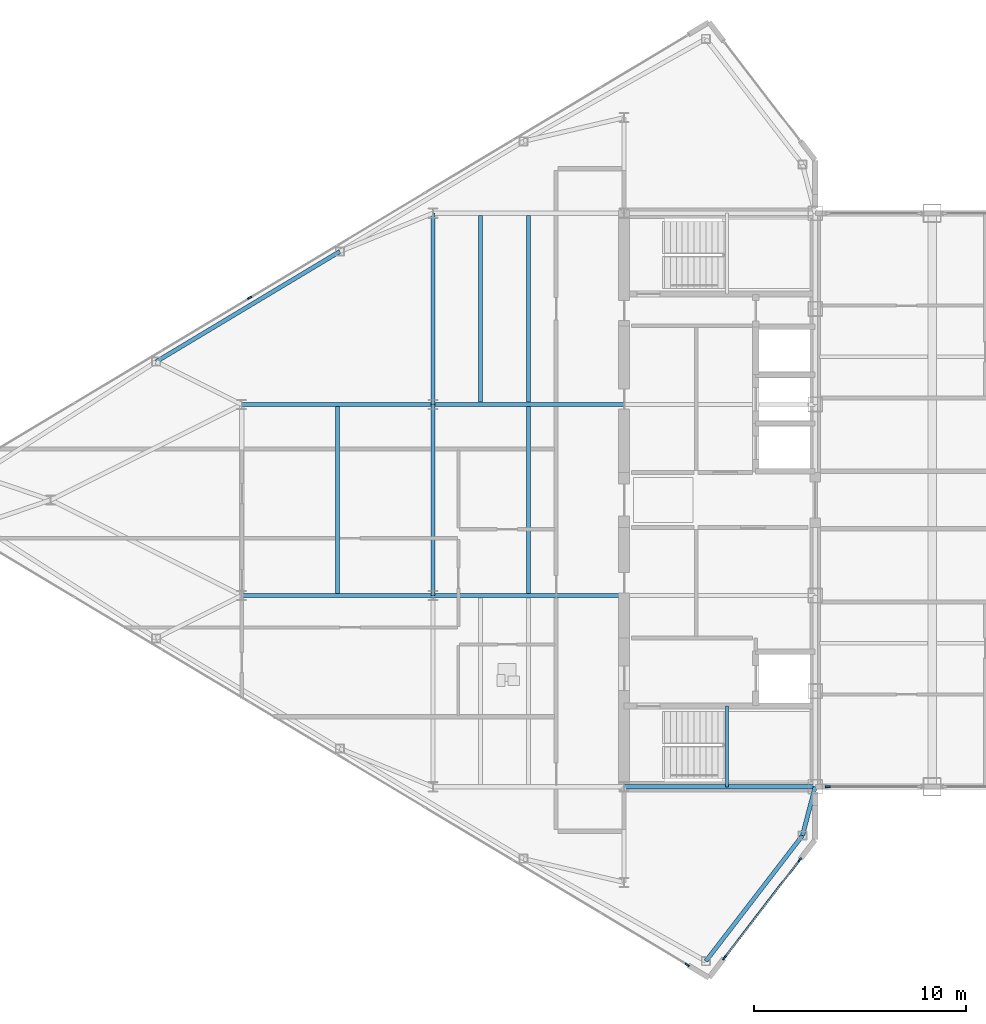
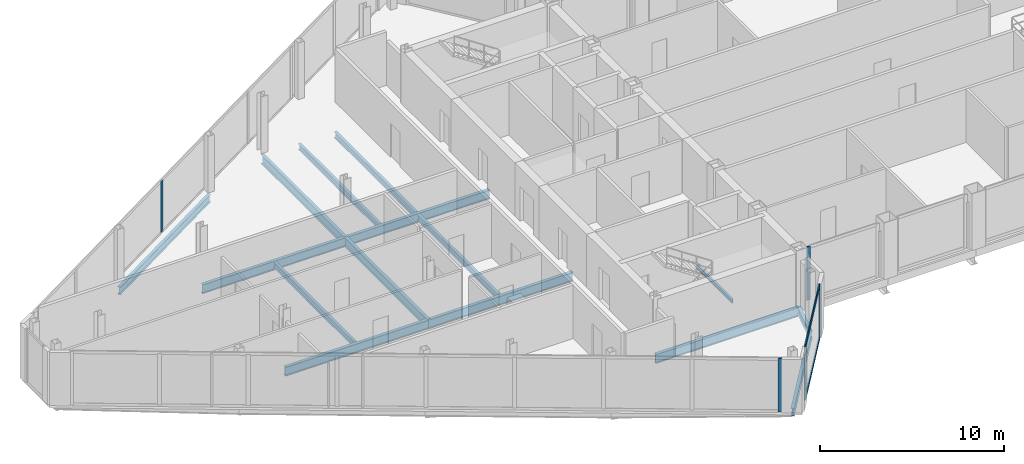
# One storey, part 9 of 29: 15 beams, 7 members, 4 elements without a shape of their own.
"""IFC4 building model written with IfcOpenShell, lengths in metres."""

from ifc_helpers import new_model, si_unit, direction, frame, origin, origin_2d, place, context, subcontext, project, spatial, rectangle, i_section, extrude, source, transform, mapped, material, layer, layer_set, material_profile, profile_set, type_object, type_shapes, element, aggregate, save


model = new_model("IFC4")

# Units and contexts
model_context = context("Model", 3, precision=1e-05, world=origin(), true_north=direction((0.0, 1.0)))
body_context = subcontext(model_context, "Body", "Model", "MODEL_VIEW")
ifc_project = project(units=[si_unit("LENGTHUNIT", "METRE"), si_unit("AREAUNIT", "SQUARE_METRE"), si_unit("VOLUMEUNIT", "CUBIC_METRE"), si_unit("PLANEANGLEUNIT", "RADIAN"), si_unit("MASSUNIT", "GRAM", prefix="KILO")], contexts=[model_context])

# Site, building, storey
site_placement = place(None, origin())
site = spatial("IfcSite", under=ifc_project, at=site_placement, CompositionType="ELEMENT")
building_placement = place(site_placement, origin())
building = spatial("IfcBuilding", under=site, at=building_placement, Name="Seokmaru Belvedere", CompositionType="ELEMENT")
storey_placement = place(building_placement, frame((0.0, 0.0, 250.64990234375)))
storey = spatial("IfcBuildingStorey", under=building, at=storey_placement, Name="L66", CompositionType="ELEMENT", Elevation=250.64990234375)

# Beams
ifc_material_1 = material(Name="Steel SM355 (355 MPa)", Category="steel")
ifc_material_profile_1 = material_profile(ifc_material_1, i_section(OverallWidth=0.199951171875, OverallDepth=0.60009765625, WebThickness=0.010986328125, FlangeThickness=0.01708984375, at=origin_2d()), Name="H-600x200x11x17")
ifc_profile_set_1 = profile_set([ifc_material_profile_1], Name="Steel SM355 (355 MPa)")
beam_type_1 = type_object("IfcBeamType", Name="Primary Floor Girder H-600", PredefinedType="BEAM", material=ifc_profile_set_1)
shared_shape_1 = source(origin(), body_context, "Body", "SweptSolid", [
    extrude(i_section(OverallWidth=0.199951171875, OverallDepth=0.60009765625, WebThickness=0.010986328125, FlangeThickness=0.01708984375, at=origin_2d()), origin(), (0.0, 0.0, 1.0), 9.0),
])
type_shapes(beam_type_1, [shared_shape_1])
for number, where, z_axis, x_axis, name in (
    (1, (-45.5, -4.5, -0.52001953125), (0.0, 1.0, 0.0), (-1.0, 0.0, 0.0), "L66 W Interior Grid Girder 2"),
    (2, (-45.5, 4.5, -0.52001953125), (0.0, 1.0, 0.0), (-1.0, 0.0, 0.0), "L66 W Interior Grid Girder 3"),
    (3, (-36.5, -13.5, -0.52001953125), (1.0, 0.0, 0.0), (0.0, 1.0, 0.0), "L66 W Core Tie Girder 1"),
    (4, (-45.5, -4.5, -0.52001953125), (1.0, 0.0, 0.0), (0.0, 1.0, 0.0), "L66 W Wing Primary Girder 2"),
    (5, (-45.5, 4.5, -0.52001953125), (1.0, 0.0, 0.0), (0.0, 1.0, 0.0), "L66 W Wing Primary Girder 3"),
    (6, (-54.5, -4.5, -0.52001953125), (1.0, 0.0, 0.0), (0.0, 1.0, 0.0), "L66 W Outer Wing Girder 1"),
    (7, (-54.5, 4.5, -0.52001953125), (1.0, 0.0, 0.0), (0.0, 1.0, 0.0), "L66 W Outer Wing Girder 2"),
):
    element("IfcBeam", number, at=place(storey_placement, frame(where, z_axis=z_axis, x_axis=x_axis)), inside=storey, type_object=beam_type_1, Name=name, PredefinedType="BEAM", context=body_context, shape_type="MappedRepresentation", body=[
        mapped(shared_shape_1, transform((0.0, 0.0, 0.0), scale=1.0)),
    ])
ifc_material_profile_2 = material_profile(ifc_material_1, i_section(OverallWidth=0.18505859375, OverallDepth=0.389892578125, WebThickness=0.008056640625, FlangeThickness=0.011962890625, at=origin_2d()), Name="H-390x185x8x12")
ifc_profile_set_2 = profile_set([ifc_material_profile_2], Name="Steel SM355 (355 MPa)")
beam_type_2 = type_object("IfcBeamType", Name="Secondary Floor Joist H-350", PredefinedType="JOIST", material=ifc_profile_set_2)
shared_shape_2 = source(origin(), body_context, "Body", "SweptSolid", [
    extrude(i_section(OverallWidth=0.18505859375, OverallDepth=0.389892578125, WebThickness=0.008056640625, FlangeThickness=0.011962890625, at=origin_2d()), origin(), (0.0, 0.0, 1.0), 8.7900390625),
])
type_shapes(beam_type_2, [shared_shape_2])
for number, where, z_axis, x_axis, name in (
    (8, (-43.25, 4.60498046875, -0.414794921875), (0.0, 1.0, 0.0), (-1.0, 0.0, 0.0), "L66 W Wing Inner Secondary Joist 2"),
    (9, (-41.0, -4.39501953125, -0.414794921875), (0.0, 1.0, 0.0), (-1.0, 0.0, 0.0), "L66 W Secondary Floor Joist 2"),
    (10, (-41.0, 4.60498046875, -0.414794921875), (0.0, 1.0, 0.0), (-1.0, 0.0, 0.0), "L66 W Secondary Floor Joist 3"),
    (11, (-50.0, -4.39501953125, -0.414794921875), (0.0, 1.0, 0.0), (-1.0, 0.0, 0.0), "L66 W Outer Bay Secondary Joist"),
):
    element("IfcBeam", number, at=place(storey_placement, frame(where, z_axis=z_axis, x_axis=x_axis)), inside=storey, type_object=beam_type_2, Name=name, PredefinedType="JOIST", context=body_context, shape_type="MappedRepresentation", body=[
        mapped(shared_shape_2, transform((0.0, 0.0, 0.0), scale=1.0)),
    ])
ifc_material_profile_3 = material_profile(ifc_material_1, i_section(OverallWidth=0.199951171875, OverallDepth=0.5, WebThickness=0.010009765625, FlangeThickness=0.01611328125, at=origin_2d()), Name="H-500x200x10x16")
ifc_profile_set_3 = profile_set([ifc_material_profile_3], Name="Steel SM355 (355 MPa)")
beam_type_3 = type_object("IfcBeamType", Name="Perimeter Spandrel Beam H-500", PredefinedType="SPANDREL", material=ifc_profile_set_3)
shared_shape_3 = source(origin(), body_context, "Body", "SweptSolid", [
    extrude(i_section(OverallWidth=0.199951171875, OverallDepth=0.5, WebThickness=0.010009765625, FlangeThickness=0.01611328125, at=origin_2d()), origin(), (0.0, 0.0, 1.0), 10.087646484375),
])
beam_1_placement = place(storey_placement, frame((-49.8798828125, 11.698974609375, -0.469970703125), z_axis=(-0.857488654804, -0.514502873542, 0.0), x_axis=(0.514502873542, -0.857488654804, 0.0)))
element("IfcBeam", 12, at=beam_1_placement, inside=storey, type_object=beam_type_3, Name="L66 W Faceted Flank Spandrel N-3", PredefinedType="SPANDREL", context=body_context, shape_type="MappedRepresentation", body=[
    mapped(shared_shape_3, transform((0.0, 0.0, 0.0), scale=1.0)),
])
shared_shape_4 = source(origin(), body_context, "Body", "SweptSolid", [
    extrude(i_section(OverallWidth=0.199951171875, OverallDepth=0.5, WebThickness=0.010009765625, FlangeThickness=0.01611328125, at=origin_2d()), origin(), (0.0, 0.0, 1.0), 7.4619140625),
])
beam_2_placement = place(storey_placement, frame((-32.649658203125, -21.71044921875, -0.469970703125), z_axis=(0.609702854945, 0.792630070507, 0.0), x_axis=(-0.792630070507, 0.609702854945, 0.0)))
element("IfcBeam", 13, at=beam_2_placement, inside=storey, type_object=beam_type_3, Name="L66 W Shoulder Chamfer Spandrel S", PredefinedType="SPANDREL", context=body_context, shape_type="MappedRepresentation", body=[
    mapped(shared_shape_4, transform((0.0, 0.0, 0.0), scale=1.0)),
])
shared_shape_5 = source(origin(), body_context, "Body", "SweptSolid", [
    extrude(i_section(OverallWidth=0.199951171875, OverallDepth=0.5, WebThickness=0.010009765625, FlangeThickness=0.01611328125, at=origin_2d()), origin(), (0.0, 0.0, 1.0), 2.373046875),
])
type_shapes(beam_type_3, [shared_shape_3, shared_shape_4, shared_shape_5])
beam_3_placement = place(storey_placement, frame((-28.10009765625, -15.7958984375, -0.469970703125), z_axis=(0.252882558842, 0.967496982648, 0.0), x_axis=(-0.967496982648, 0.252882558842, 0.0)))
element("IfcBeam", 14, at=beam_3_placement, inside=storey, type_object=beam_type_3, Name="L66 W Shoulder Spine Spandrel S", PredefinedType="SPANDREL", context=body_context, shape_type="MappedRepresentation", body=[
    mapped(shared_shape_5, transform((0.0, 0.0, 0.0), scale=1.0)),
])

# Curtain wall, members
ifc_material_2 = material(Name="Bronze Triple Insulating Glass", Category="glass")
ifc_layer = layer(ifc_material_2, 0.219970703125)
ifc_layer_set = layer_set([ifc_layer], Name="Bronze Triple Insulating Glass")
curtain_wall_type = type_object("IfcCurtainWallType", Name="Sky-Gate Bridge Panorama Curtain Wall System CW-6", PredefinedType="NOTDEFINED", material=ifc_layer_set)
curtain_wall_1_placement = place(storey_placement, origin())
curtain_wall_1 = element("IfcCurtainWall", 15, at=curtain_wall_1_placement, inside=storey, type_object=curtain_wall_type, Name="L66 Curtain Wall WF6", PredefinedType="NOTDEFINED")
ifc_material_3 = material(Name="Anodised Bronze Aluminium", Category="aluminium")
ifc_material_profile_4 = material_profile(ifc_material_3, rectangle(XDim=0.074951171875, YDim=0.179931640625, at=origin_2d()), Name="CW-T-75x180")
ifc_profile_set_4 = profile_set([ifc_material_profile_4], Name="Anodised Bronze Aluminium")
member_type_1 = type_object("IfcMemberType", Name="Bronze Unitised Transom 75x180", PredefinedType="USERDEFINED", material=ifc_profile_set_4)
shared_shape_6 = source(origin(), body_context, "Body", "SweptSolid", [
    extrude(rectangle(XDim=0.074951171875, YDim=0.179931640625, at=origin_2d()), origin(), (0.0, 0.0, 1.0), 5.74072265625),
])
type_shapes(member_type_1, [shared_shape_6])
member_1_placement = place(storey_placement, frame((-31.75, -21.525146484375, 0.03759765625), z_axis=(0.609686097287, 0.792642960465, 0.0), x_axis=(-0.792642960465, 0.609686097287, 0.0)))
member_1 = element("IfcMember", 16, at=member_1_placement, type_object=member_type_1, Name="CW:L66:WF6 Continuous Transom 1", ObjectType="TRANSOM", PredefinedType="USERDEFINED", context=body_context, shape_type="MappedRepresentation", body=[
    mapped(shared_shape_6, transform((0.0, 0.0, 0.0), scale=1.0)),
])
member_2_placement = place(storey_placement, frame((-31.75, -21.525146484375, 3.49267578125), z_axis=(0.609686097287, 0.792642960465, 0.0), x_axis=(-0.792642960465, 0.609686097287, 0.0)))
member_2 = element("IfcMember", 17, at=member_2_placement, type_object=member_type_1, Name="CW:L66:WF6 Continuous Transom 2", ObjectType="TRANSOM", PredefinedType="USERDEFINED", context=body_context, shape_type="MappedRepresentation", body=[
    mapped(shared_shape_6, transform((0.0, 0.0, 0.0), scale=1.0)),
])

# Curtain wall, member
curtain_wall_2_placement = place(storey_placement, origin())
curtain_wall_2 = element("IfcCurtainWall", 18, at=curtain_wall_2_placement, inside=storey, type_object=curtain_wall_type, Name="L66 Curtain Wall WF5", PredefinedType="NOTDEFINED")
ifc_material_profile_5 = material_profile(ifc_material_3, rectangle(XDim=0.080078125, YDim=0.219970703125, at=origin_2d()), Name="CW-M-80x220")
ifc_profile_set_5 = profile_set([ifc_material_profile_5], Name="Anodised Bronze Aluminium")
member_type_2 = type_object("IfcMemberType", Name="Bronze Unitised Mullion 80x220", PredefinedType="MULLION", material=ifc_profile_set_5)
shared_shape_7 = source(origin(), body_context, "Body", "SweptSolid", [
    extrude(rectangle(XDim=0.080078125, YDim=0.219970703125, at=origin_2d()), origin(), (0.0, 0.0, 1.0), 3.530029296875),
])
member_3_placement = place(storey_placement, frame((-33.5205078125, -21.8876953125, 0.0), z_axis=(0.0, 0.0, 1.0), x_axis=(0.514494909364, 0.85749343335, 0.0)))
member_3 = element("IfcMember", 19, at=member_3_placement, type_object=member_type_2, Name="CW:L66:WF5 Mullion 9", PredefinedType="MULLION", context=body_context, shape_type="MappedRepresentation", body=[
    mapped(shared_shape_7, transform((0.0, 0.0, 0.0), scale=1.0)),
])
aggregate(curtain_wall_2, [member_3])

# Member
member_4_placement = place(storey_placement, frame((-31.7744140625, -21.556884765625, 0.0), z_axis=(0.0, 0.0, 1.0), x_axis=(-0.792631353244, 0.609701187349, 0.0)))
member_4 = element("IfcMember", 20, at=member_4_placement, type_object=member_type_2, Name="CW:L66:WF6 Mullion 1", PredefinedType="MULLION", context=body_context, shape_type="MappedRepresentation", body=[
    mapped(shared_shape_7, transform((0.0, 0.0, 0.0), scale=1.0)),
])

member_5_placement = place(storey_placement, frame((-28.2255859375, -16.943115234375, 0.0), z_axis=(0.0, 0.0, 1.0), x_axis=(-0.792631353244, 0.609701187349, 0.0)))
member_5 = element("IfcMember", 21, at=member_5_placement, type_object=member_type_2, Name="CW:L66:WF6 Mullion 2", PredefinedType="MULLION", context=body_context, shape_type="MappedRepresentation", body=[
    mapped(shared_shape_7, transform((0.0, 0.0, 0.0), scale=1.0)),
])

aggregate(curtain_wall_1, [member_4, member_5, member_1, member_2])

# Curtain wall, member
curtain_wall_3_placement = place(storey_placement, origin())
curtain_wall_3 = element("IfcCurtainWall", 22, at=curtain_wall_3_placement, inside=storey, type_object=curtain_wall_type, Name="L66 Curtain Wall BR_S01", PredefinedType="NOTDEFINED")
member_6_placement = place(storey_placement, frame((-26.909912109375, -13.5, 0.0), z_axis=(0.0, 0.0, 1.0), x_axis=(0.0, 1.0, 0.0)))
member_6 = element("IfcMember", 23, at=member_6_placement, type_object=member_type_2, Name="CW:L66:BR_S01 Mullion 1", PredefinedType="MULLION", context=body_context, shape_type="MappedRepresentation", body=[
    mapped(shared_shape_7, transform((0.0, 0.0, 0.0), scale=1.0)),
])
aggregate(curtain_wall_3, [member_6])

curtain_wall_4_placement = place(storey_placement, origin())
curtain_wall_4 = element("IfcCurtainWall", 24, at=curtain_wall_4_placement, inside=storey, type_object=curtain_wall_type, Name="L66 Curtain Wall WF3", PredefinedType="NOTDEFINED")
shared_shape_8 = source(origin(), body_context, "Body", "SweptSolid", [
    extrude(rectangle(XDim=0.080078125, YDim=0.219970703125, at=origin_2d()), origin(), (0.0, 0.0, 1.0), 3.3798828125),
])
type_shapes(member_type_2, [shared_shape_7, shared_shape_8])
member_7_placement = place(storey_placement, frame((-54.12841796875, 9.52294921875, 0.0751953125), z_axis=(0.0, 0.0, 1.0), x_axis=(0.514494909364, -0.85749343335, 0.0)))
member_7 = element("IfcMember", 25, at=member_7_placement, type_object=member_type_2, Name="CW:L66:WF3 Mullion 6", PredefinedType="MULLION", context=body_context, shape_type="MappedRepresentation", body=[
    mapped(shared_shape_8, transform((0.0, 0.0, 0.0), scale=1.0)),
])
aggregate(curtain_wall_4, [member_7])

# Beam
ifc_material_profile_6 = material_profile(ifc_material_1, i_section(OverallWidth=0.125, OverallDepth=0.25, WebThickness=0.006103515625, FlangeThickness=0.009033203125, at=origin_2d()), Name="H-250x125x6x9")
ifc_profile_set_6 = profile_set([ifc_material_profile_6], Name="Steel SM355 (355 MPa)")
beam_type_4 = type_object("IfcBeamType", Name="Stair Mid-Landing Support Beam H-250", PredefinedType="JOIST", material=ifc_profile_set_6)
shared_shape_9 = source(origin(), body_context, "Body", "SweptSolid", [
    extrude(i_section(OverallWidth=0.125, OverallDepth=0.25, WebThickness=0.006103515625, FlangeThickness=0.009033203125, at=origin_2d()), origin(), (0.0, 0.0, 1.0), 3.800048828125),
])
type_shapes(beam_type_4, [shared_shape_9])
beam_4_placement = place(storey_placement, frame((-31.64990234375, -13.5, 1.550048828125), z_axis=(0.0, 1.0, 0.0), x_axis=(-1.0, 0.0, 0.0)))
element("IfcBeam", 26, at=beam_4_placement, inside=storey, type_object=beam_type_4, Name="L66 Stair ST-W1 Mid-Landing Support Beam 1", PredefinedType="JOIST", context=body_context, shape_type="MappedRepresentation", body=[
    mapped(shared_shape_9, transform((0.0, 0.0, 0.0), scale=1.0)),
])

save(model, "model.ifc")
